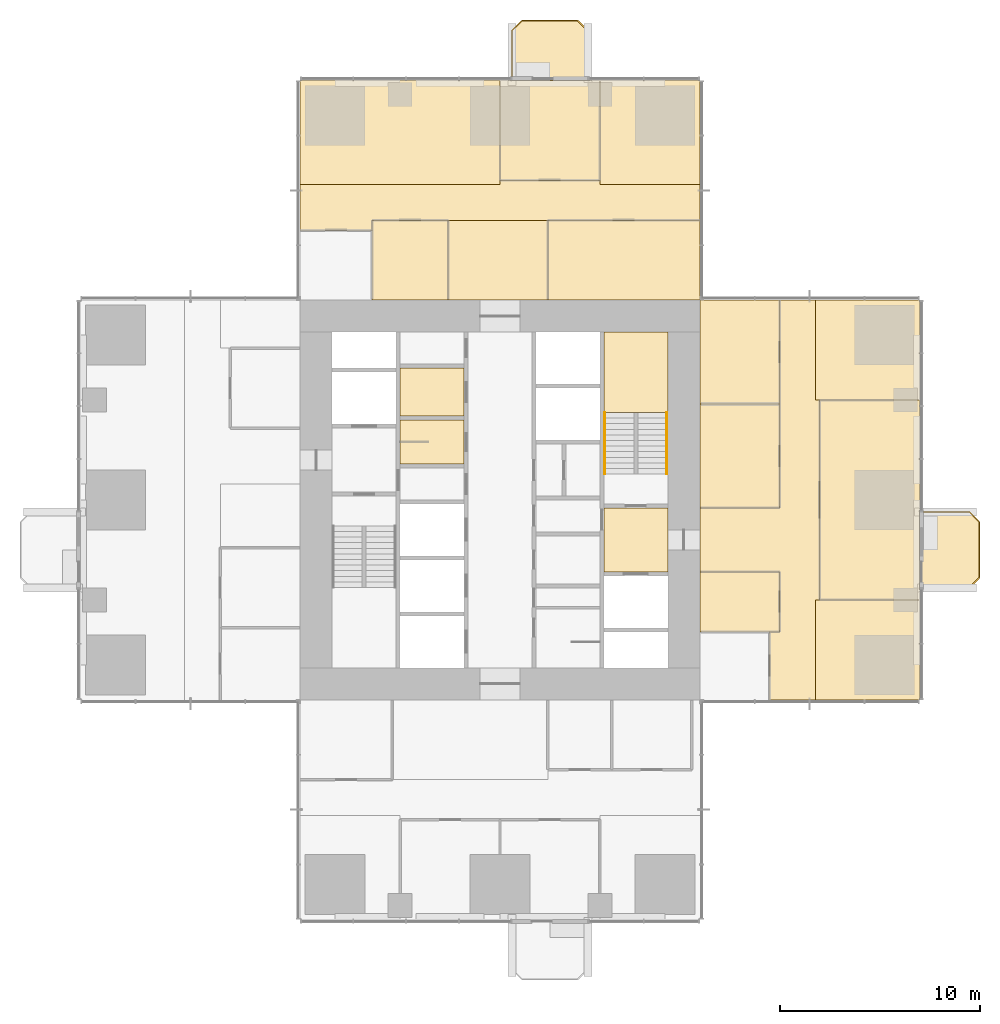
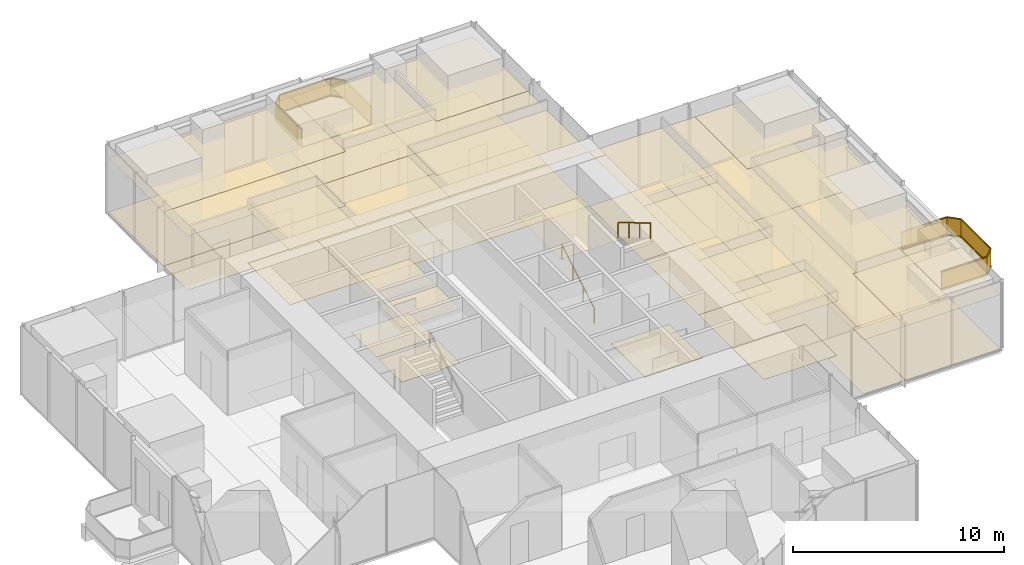
# One storey, part 12 of 13: 36 coverings, 4 railings.
"""IFC4 building model written with IfcOpenShell, lengths in metres."""

from ifc_helpers import new_model, si_unit, direction, frame, origin, origin_2d, place, context, subcontext, project, spatial, polyline, rectangle, circle, outline, extrude, material, layer, layer_set, type_object, element, save


model = new_model("IFC4")

# Units and contexts
model_context = context("Model", 3, precision=1e-05, world=origin(), true_north=direction((0.0, 1.0)))
body_context = subcontext(model_context, "Body", "Model", "MODEL_VIEW")
ifc_project = project(units=[si_unit("LENGTHUNIT", "METRE"), si_unit("AREAUNIT", "SQUARE_METRE"), si_unit("VOLUMEUNIT", "CUBIC_METRE"), si_unit("PLANEANGLEUNIT", "RADIAN"), si_unit("MASSUNIT", "GRAM", prefix="KILO")], contexts=[model_context])

# Site, building, storey
site_placement = place(None, origin())
site = spatial("IfcSite", under=ifc_project, at=site_placement, CompositionType="ELEMENT")
building_placement = place(site_placement, origin())
building = spatial("IfcBuilding", under=site, at=building_placement, Name="Svetlomir Tower", CompositionType="ELEMENT")
storey_placement = place(building_placement, frame((0.0, 0.0, 120.5)))
storey = spatial("IfcBuildingStorey", under=building, at=storey_placement, Name="L28", CompositionType="ELEMENT", Elevation=120.5)

# Railings
ifc_material_1 = material(Name="Bronze anodised aluminium and laminated glass", Category="aluminium")
railing_type_1 = type_object("IfcRailingType", Name="BALCONY GUARD GR1 1100", PredefinedType="GUARDRAIL", material=ifc_material_1)
railing_1_placement = place(storey_placement, frame((42.0, 16.60009765625, 0.0)))
element("IfcRailing", 1, at=railing_1_placement, inside=storey, type_object=railing_type_1, Name="Balcony guard E L28", PredefinedType="GUARDRAIL", context=body_context, shape_type="SweptSolid", body=[
    extrude(rectangle(XDim=0.06005859375, YDim=0.10009765625, at=origin_2d()), frame((0.0, 0.0, 0.050048828125), z_axis=(1.0, 0.0, 0.0), x_axis=(0.0, 1.0, 0.0)), (0.0, 0.0, 1.0), 2.5),
    extrude(rectangle(XDim=0.021484375, YDim=0.960205078125, at=origin_2d()), frame((0.0, 0.0, 0.580078125), z_axis=(1.0, 0.0, 0.0), x_axis=(0.0, 1.0, 0.0)), (0.0, 0.0, 1.0), 2.5),
    extrude(rectangle(XDim=0.06005859375, YDim=0.0400390625, at=origin_2d()), frame((0.0, 0.0, 1.080078125), z_axis=(1.0, 0.0, 0.0), x_axis=(0.0, 1.0, 0.0)), (0.0, 0.0, 1.0), 2.5),
    extrude(rectangle(XDim=0.06005859375, YDim=0.10009765625, at=origin_2d()), frame((2.5, 0.0, 0.050048828125), z_axis=(0.707106781187, 0.707106781187, 0.0), x_axis=(-0.707106781187, 0.707106781187, 0.0)), (0.0, 0.0, 1.0), 0.70703125),
    extrude(rectangle(XDim=0.021484375, YDim=0.960205078125, at=origin_2d()), frame((2.5, 0.0, 0.580078125), z_axis=(0.707106781187, 0.707106781187, 0.0), x_axis=(-0.707106781187, 0.707106781187, 0.0)), (0.0, 0.0, 1.0), 0.70703125),
    extrude(rectangle(XDim=0.06005859375, YDim=0.0400390625, at=origin_2d()), frame((2.5, 0.0, 1.080078125), z_axis=(0.707106781187, 0.707106781187, 0.0), x_axis=(-0.707106781187, 0.707106781187, 0.0)), (0.0, 0.0, 1.0), 0.70703125),
    extrude(rectangle(XDim=0.06005859375, YDim=0.10009765625, at=origin_2d()), frame((3.0, 0.5, 0.050048828125), z_axis=(0.0, 1.0, 0.0), x_axis=(-1.0, 0.0, 0.0)), (0.0, 0.0, 1.0), 2.7998046875),
    extrude(rectangle(XDim=0.021484375, YDim=0.960205078125, at=origin_2d()), frame((3.0, 0.5, 0.580078125), z_axis=(0.0, 1.0, 0.0), x_axis=(-1.0, 0.0, 0.0)), (0.0, 0.0, 1.0), 2.7998046875),
    extrude(rectangle(XDim=0.06005859375, YDim=0.0400390625, at=origin_2d()), frame((3.0, 0.5, 1.080078125), z_axis=(0.0, 1.0, 0.0), x_axis=(-1.0, 0.0, 0.0)), (0.0, 0.0, 1.0), 2.7998046875),
    extrude(rectangle(XDim=0.06005859375, YDim=0.10009765625, at=origin_2d()), frame((3.0, 3.2998046875, 0.050048828125), z_axis=(-0.707106781187, 0.707106781187, 0.0), x_axis=(-0.707106781187, -0.707106781187, 0.0)), (0.0, 0.0, 1.0), 0.70703125),
    extrude(rectangle(XDim=0.021484375, YDim=0.960205078125, at=origin_2d()), frame((3.0, 3.2998046875, 0.580078125), z_axis=(-0.707106781187, 0.707106781187, 0.0), x_axis=(-0.707106781187, -0.707106781187, 0.0)), (0.0, 0.0, 1.0), 0.70703125),
    extrude(rectangle(XDim=0.06005859375, YDim=0.0400390625, at=origin_2d()), frame((3.0, 3.2998046875, 1.080078125), z_axis=(-0.707106781187, 0.707106781187, 0.0), x_axis=(-0.707106781187, -0.707106781187, 0.0)), (0.0, 0.0, 1.0), 0.70703125),
    extrude(rectangle(XDim=0.06005859375, YDim=0.10009765625, at=origin_2d()), frame((2.5, 3.7998046875, 0.050048828125), z_axis=(-1.0, 0.0, 0.0), x_axis=(0.0, -1.0, 0.0)), (0.0, 0.0, 1.0), 2.5),
    extrude(rectangle(XDim=0.021484375, YDim=0.960205078125, at=origin_2d()), frame((2.5, 3.7998046875, 0.580078125), z_axis=(-1.0, 0.0, 0.0), x_axis=(0.0, -1.0, 0.0)), (0.0, 0.0, 1.0), 2.5),
    extrude(rectangle(XDim=0.06005859375, YDim=0.0400390625, at=origin_2d()), frame((2.5, 3.7998046875, 1.080078125), z_axis=(-1.0, 0.0, 0.0), x_axis=(0.0, -1.0, 0.0)), (0.0, 0.0, 1.0), 2.5),
])
railing_2_placement = place(storey_placement, frame((25.39990234375, 42.0, 0.0)))
element("IfcRailing", 2, at=railing_2_placement, inside=storey, type_object=railing_type_1, Name="Balcony guard N L28", PredefinedType="GUARDRAIL", context=body_context, shape_type="SweptSolid", body=[
    extrude(rectangle(XDim=0.06005859375, YDim=0.10009765625, at=origin_2d()), frame((0.0, 0.0, 0.050048828125), z_axis=(0.0, 1.0, 0.0), x_axis=(-1.0, 0.0, 0.0)), (0.0, 0.0, 1.0), 2.5),
    extrude(rectangle(XDim=0.021484375, YDim=0.960205078125, at=origin_2d()), frame((0.0, 0.0, 0.580078125), z_axis=(0.0, 1.0, 0.0), x_axis=(-1.0, 0.0, 0.0)), (0.0, 0.0, 1.0), 2.5),
    extrude(rectangle(XDim=0.06005859375, YDim=0.0400390625, at=origin_2d()), frame((0.0, 0.0, 1.080078125), z_axis=(0.0, 1.0, 0.0), x_axis=(-1.0, 0.0, 0.0)), (0.0, 0.0, 1.0), 2.5),
    extrude(rectangle(XDim=0.06005859375, YDim=0.10009765625, at=origin_2d()), frame((0.0, 2.5, 0.050048828125), z_axis=(-0.707106781187, 0.707106781187, 0.0), x_axis=(-0.707106781187, -0.707106781187, 0.0)), (0.0, 0.0, 1.0), 0.70703125),
    extrude(rectangle(XDim=0.021484375, YDim=0.960205078125, at=origin_2d()), frame((0.0, 2.5, 0.580078125), z_axis=(-0.707106781187, 0.707106781187, 0.0), x_axis=(-0.707106781187, -0.707106781187, 0.0)), (0.0, 0.0, 1.0), 0.70703125),
    extrude(rectangle(XDim=0.06005859375, YDim=0.0400390625, at=origin_2d()), frame((0.0, 2.5, 1.080078125), z_axis=(-0.707106781187, 0.707106781187, 0.0), x_axis=(-0.707106781187, -0.707106781187, 0.0)), (0.0, 0.0, 1.0), 0.70703125),
    extrude(rectangle(XDim=0.06005859375, YDim=0.10009765625, at=origin_2d()), frame((-0.5, 3.0, 0.050048828125), z_axis=(-1.0, 0.0, 0.0), x_axis=(0.0, -1.0, 0.0)), (0.0, 0.0, 1.0), 2.7998046875),
    extrude(rectangle(XDim=0.021484375, YDim=0.960205078125, at=origin_2d()), frame((-0.5, 3.0, 0.580078125), z_axis=(-1.0, 0.0, 0.0), x_axis=(0.0, -1.0, 0.0)), (0.0, 0.0, 1.0), 2.7998046875),
    extrude(rectangle(XDim=0.06005859375, YDim=0.0400390625, at=origin_2d()), frame((-0.5, 3.0, 1.080078125), z_axis=(-1.0, 0.0, 0.0), x_axis=(0.0, -1.0, 0.0)), (0.0, 0.0, 1.0), 2.7998046875),
    extrude(rectangle(XDim=0.06005859375, YDim=0.10009765625, at=origin_2d()), frame((-3.2998046875, 3.0, 0.050048828125), z_axis=(-0.707106781187, -0.707106781187, 0.0), x_axis=(0.707106781187, -0.707106781187, 0.0)), (0.0, 0.0, 1.0), 0.70703125),
    extrude(rectangle(XDim=0.021484375, YDim=0.960205078125, at=origin_2d()), frame((-3.2998046875, 3.0, 0.580078125), z_axis=(-0.707106781187, -0.707106781187, 0.0), x_axis=(0.707106781187, -0.707106781187, 0.0)), (0.0, 0.0, 1.0), 0.70703125),
    extrude(rectangle(XDim=0.06005859375, YDim=0.0400390625, at=origin_2d()), frame((-3.2998046875, 3.0, 1.080078125), z_axis=(-0.707106781187, -0.707106781187, 0.0), x_axis=(0.707106781187, -0.707106781187, 0.0)), (0.0, 0.0, 1.0), 0.70703125),
    extrude(rectangle(XDim=0.06005859375, YDim=0.10009765625, at=origin_2d()), frame((-3.7998046875, 2.5, 0.050048828125), z_axis=(0.0, -1.0, 0.0), x_axis=(1.0, 0.0, 0.0)), (0.0, 0.0, 1.0), 2.5),
    extrude(rectangle(XDim=0.021484375, YDim=0.960205078125, at=origin_2d()), frame((-3.7998046875, 2.5, 0.580078125), z_axis=(0.0, -1.0, 0.0), x_axis=(1.0, 0.0, 0.0)), (0.0, 0.0, 1.0), 2.5),
    extrude(rectangle(XDim=0.06005859375, YDim=0.0400390625, at=origin_2d()), frame((-3.7998046875, 2.5, 1.080078125), z_axis=(0.0, -1.0, 0.0), x_axis=(1.0, 0.0, 0.0)), (0.0, 0.0, 1.0), 2.5),
])

# Coverings
ifc_material_2 = material(Name="Granite paving slabs on pedestals", Category="masonry")
ifc_layer_1 = layer(ifc_material_2, 0.0400390625)
ifc_layer_set_1 = layer_set([ifc_layer_1], Name="Granite paving slabs on pedestals")
covering_type_1 = type_object("IfcCoveringType", Name="BALCONY PAVING 40", PredefinedType="USERDEFINED", material=ifc_layer_set_1)
covering_1_placement = place(storey_placement, origin())
element("IfcCovering", 3, at=covering_1_placement, inside=storey, type_object=covering_type_1, Name="Balcony paving E L28", ObjectType="BALCONY PAVING", PredefinedType="USERDEFINED", context=body_context, shape_type="SweptSolid", body=[
    extrude(outline(polyline([(42.0, 16.60009765625), (44.5, 16.60009765625), (45.0, 17.10009765625), (45.0, 19.89990234375), (44.5, 20.39990234375), (42.0, 20.39990234375), (42.0, 16.60009765625)])), origin(), (0.0, 0.0, 1.0), 0.0400390625),
])
covering_2_placement = place(storey_placement, origin())
element("IfcCovering", 4, at=covering_2_placement, inside=storey, type_object=covering_type_1, Name="Balcony paving N L28", ObjectType="BALCONY PAVING", PredefinedType="USERDEFINED", context=body_context, shape_type="SweptSolid", body=[
    extrude(outline(polyline([(21.60009765625, 42.0), (25.39990234375, 42.0), (25.39990234375, 44.5), (24.89990234375, 45.0), (22.10009765625, 45.0), (21.60009765625, 44.5), (21.60009765625, 42.0)])), origin(), (0.0, 0.0, 1.0), 0.0400390625),
])
ifc_material_3 = material(Name="Carpet tile", Category="textile")
ifc_layer_2 = layer(ifc_material_3, 0.010009765625)
ifc_layer_set_2 = layer_set([ifc_layer_2], Name="Carpet tile")
covering_type_2 = type_object("IfcCoveringType", Name="CARPET TILE FLOOR 10", PredefinedType="FLOORING", material=ifc_layer_set_2)
covering_3_placement = place(storey_placement, origin())
element("IfcCovering", 5, at=covering_3_placement, inside=storey, type_object=covering_type_2, Name="Floor finish L28-22", PredefinedType="FLOORING", context=body_context, shape_type="SweptSolid", body=[
    extrude(outline(polyline([(31.0, 14.39990234375), (35.0, 14.39990234375), (35.0, 17.39990234375), (31.0, 17.39990234375), (31.0, 14.39990234375)])), origin(), (0.0, 0.0, 1.0), 0.010009765625),
])
covering_4_placement = place(storey_placement, origin())
element("IfcCovering", 6, at=covering_4_placement, inside=storey, type_object=covering_type_2, Name="Floor finish L28-23", PredefinedType="FLOORING", context=body_context, shape_type="SweptSolid", body=[
    extrude(outline(polyline([(31.0, 20.60009765625), (35.0, 20.60009765625), (35.0, 25.800048828125), (31.0, 25.800048828125), (31.0, 20.60009765625)])), origin(), (0.0, 0.0, 1.0), 0.010009765625),
])
covering_5_placement = place(storey_placement, origin())
element("IfcCovering", 7, at=covering_5_placement, inside=storey, type_object=covering_type_2, Name="Floor finish L28-24", PredefinedType="FLOORING", context=body_context, shape_type="SweptSolid", body=[
    extrude(outline(polyline([(31.0, 25.800048828125), (35.0, 25.800048828125), (35.0, 31.0), (31.0, 31.0), (31.0, 25.800048828125)])), origin(), (0.0, 0.0, 1.0), 0.010009765625),
])
covering_6_placement = place(storey_placement, origin())
element("IfcCovering", 8, at=covering_6_placement, inside=storey, type_object=covering_type_2, Name="Floor finish L28-25", PredefinedType="FLOORING", context=body_context, shape_type="SweptSolid", body=[
    extrude(outline(polyline([(37.0, 16.0), (42.0, 16.0), (42.0, 26.0), (37.0, 26.0), (37.0, 16.0)])), origin(), (0.0, 0.0, 1.0), 0.010009765625),
])
covering_7_placement = place(storey_placement, origin())
element("IfcCovering", 9, at=covering_7_placement, inside=storey, type_object=covering_type_2, Name="Floor finish L28-27", PredefinedType="FLOORING", context=body_context, shape_type="SweptSolid", body=[
    extrude(outline(polyline([(14.60009765625, 31.0), (18.39990234375, 31.0), (18.39990234375, 35.0), (14.60009765625, 35.0), (14.60009765625, 31.0)])), origin(), (0.0, 0.0, 1.0), 0.010009765625),
])
covering_8_placement = place(storey_placement, origin())
element("IfcCovering", 10, at=covering_8_placement, inside=storey, type_object=covering_type_2, Name="Floor finish L28-28", PredefinedType="FLOORING", context=body_context, shape_type="SweptSolid", body=[
    extrude(outline(polyline([(23.39990234375, 31.0), (31.0, 31.0), (31.0, 35.0), (23.39990234375, 35.0), (23.39990234375, 31.0)])), origin(), (0.0, 0.0, 1.0), 0.010009765625),
])
covering_9_placement = place(storey_placement, origin())
element("IfcCovering", 11, at=covering_9_placement, inside=storey, type_object=covering_type_2, Name="Floor finish L28-29", PredefinedType="FLOORING", context=body_context, shape_type="SweptSolid", body=[
    extrude(outline(polyline([(21.0, 37.0), (26.0, 37.0), (26.0, 42.0), (21.0, 42.0), (21.0, 37.0)])), origin(), (0.0, 0.0, 1.0), 0.010009765625),
])
covering_10_placement = place(storey_placement, origin())
element("IfcCovering", 12, at=covering_10_placement, inside=storey, type_object=covering_type_2, Name="Floor finish L28-35", PredefinedType="FLOORING", context=body_context, shape_type="SweptSolid", body=[
    extrude(outline(polyline([(31.0, 35.0), (14.60009765625, 35.0), (14.60009765625, 34.5), (11.0, 34.5), (11.0, 36.800048828125), (21.0, 36.800048828125), (21.0, 37.0), (26.0, 37.0), (26.0, 36.800048828125), (31.0, 36.800048828125), (31.0, 35.0)])), origin(), (0.0, 0.0, 1.0), 0.010009765625),
])
covering_11_placement = place(storey_placement, origin())
element("IfcCovering", 13, at=covering_11_placement, inside=storey, type_object=covering_type_2, Name="Floor finish L28-36", PredefinedType="FLOORING", context=body_context, shape_type="SweptSolid", body=[
    extrude(outline(polyline([(34.5, 14.39990234375), (35.0, 14.39990234375), (35.0, 17.39990234375), (31.0, 17.39990234375), (31.0, 20.60009765625), (35.0, 20.60009765625), (35.0, 31.0), (36.800048828125, 31.0), (36.800048828125, 26.0), (37.0, 26.0), (37.0, 16.0), (36.800048828125, 16.0), (36.800048828125, 11.0), (34.5, 11.0), (34.5, 14.39990234375)])), origin(), (0.0, 0.0, 1.0), 0.010009765625),
])
covering_12_placement = place(storey_placement, origin())
element("IfcCovering", 14, at=covering_12_placement, inside=storey, type_object=covering_type_2, Name="Floor finish L28-40", PredefinedType="FLOORING", context=body_context, shape_type="SweptSolid", body=[
    extrude(outline(polyline([(36.800048828125, 16.0), (42.0, 16.0), (42.0, 11.0), (36.800048828125, 11.0), (36.800048828125, 16.0)])), origin(), (0.0, 0.0, 1.0), 0.010009765625),
])
covering_13_placement = place(storey_placement, origin())
element("IfcCovering", 15, at=covering_13_placement, inside=storey, type_object=covering_type_2, Name="Floor finish L28-41", PredefinedType="FLOORING", context=body_context, shape_type="SweptSolid", body=[
    extrude(outline(polyline([(42.0, 26.0), (36.800048828125, 26.0), (36.800048828125, 31.0), (42.0, 31.0), (42.0, 26.0)])), origin(), (0.0, 0.0, 1.0), 0.010009765625),
])
covering_14_placement = place(storey_placement, origin())
element("IfcCovering", 16, at=covering_14_placement, inside=storey, type_object=covering_type_2, Name="Floor finish L28-42", PredefinedType="FLOORING", context=body_context, shape_type="SweptSolid", body=[
    extrude(outline(polyline([(26.0, 36.800048828125), (26.0, 42.0), (31.0, 42.0), (31.0, 36.800048828125), (26.0, 36.800048828125)])), origin(), (0.0, 0.0, 1.0), 0.010009765625),
])
covering_15_placement = place(storey_placement, origin())
element("IfcCovering", 17, at=covering_15_placement, inside=storey, type_object=covering_type_2, Name="Floor finish L28-43", PredefinedType="FLOORING", context=body_context, shape_type="SweptSolid", body=[
    extrude(outline(polyline([(18.39990234375, 31.0), (18.39990234375, 35.0), (23.39990234375, 35.0), (23.39990234375, 31.0), (18.39990234375, 31.0)])), origin(), (0.0, 0.0, 1.0), 0.010009765625),
])
covering_16_placement = place(storey_placement, origin())
element("IfcCovering", 18, at=covering_16_placement, inside=storey, type_object=covering_type_2, Name="Floor finish L28-44", PredefinedType="FLOORING", context=body_context, shape_type="SweptSolid", body=[
    extrude(outline(polyline([(21.0, 42.0), (21.0, 36.800048828125), (11.0, 36.800048828125), (11.0, 42.0), (21.0, 42.0)])), origin(), (0.0, 0.0, 1.0), 0.010009765625),
])
ifc_material_4 = material(Name="Ceramic floor tile", Category="ceramic")
ifc_layer_3 = layer(ifc_material_4, 0.014892578125)
ifc_layer_set_3 = layer_set([ifc_layer_3], Name="Ceramic floor tile")
covering_type_3 = type_object("IfcCoveringType", Name="CERAMIC TILE FLOOR 15", PredefinedType="FLOORING", material=ifc_layer_set_3)
covering_17_placement = place(storey_placement, origin())
element("IfcCovering", 19, at=covering_17_placement, inside=storey, type_object=covering_type_3, Name="Floor finish L28-04", PredefinedType="FLOORING", context=body_context, shape_type="SweptSolid", body=[
    extrude(outline(polyline([(16.0, 22.800048828125), (19.199951171875, 22.800048828125), (19.199951171875, 25.0), (16.0, 25.0), (16.0, 22.800048828125)])), origin(), (0.0, 0.0, 1.0), 0.014892578125),
])
covering_18_placement = place(storey_placement, origin())
element("IfcCovering", 20, at=covering_18_placement, inside=storey, type_object=covering_type_3, Name="Floor finish L28-05", PredefinedType="FLOORING", context=body_context, shape_type="SweptSolid", body=[
    extrude(outline(polyline([(16.0, 25.199951171875), (19.199951171875, 25.199951171875), (19.199951171875, 27.60009765625), (16.0, 27.60009765625), (16.0, 25.199951171875)])), origin(), (0.0, 0.0, 1.0), 0.014892578125),
])

# Railings
ifc_material_5 = material(Name="Stainless steel", Category="steel")
railing_type_2 = type_object("IfcRailingType", Name="HANDRAIL HR1 900", PredefinedType="HANDRAIL", material=ifc_material_5)
railing_3_placement = place(storey_placement, frame((26.25, 22.300048828125, 0.166748046875)))
element("IfcRailing", 21, at=railing_3_placement, inside=storey, type_object=railing_type_2, Name="Handrail S2 flight 1 L28", PredefinedType="HANDRAIL", context=body_context, shape_type="SweptSolid", body=[
    extrude(circle(Radius=0.02392578125, at=origin_2d()), frame((0.0, 0.0, 0.8759765625), z_axis=(0.0, 0.859290745958, 0.51148745235), x_axis=(-1.0, 0.0, 0.0)), (0.0, 0.0, 1.0), 3.584228515625),
    extrude(circle(Radius=0.02099609375, at=origin_2d()), origin(), (0.0, 0.0, 1.0), 0.851806640625),
    extrude(circle(Radius=0.02099609375, at=origin_2d()), frame((0.0, 1.026611328125, 0.611083984375)), (0.0, 0.0, 1.0), 0.851806640625),
    extrude(circle(Radius=0.02099609375, at=origin_2d()), frame((0.0, 2.05322265625, 1.22216796875)), (0.0, 0.0, 1.0), 0.851806640625),
    extrude(circle(Radius=0.02099609375, at=origin_2d()), frame((0.0, 3.079833984375, 1.833251953125)), (0.0, 0.0, 1.0), 0.851806640625),
])
railing_4_placement = place(storey_placement, frame((29.35009765625, 25.3798828125, 2.166748046875)))
element("IfcRailing", 22, at=railing_4_placement, inside=storey, type_object=railing_type_2, Name="Handrail S2 flight 2 L28", PredefinedType="HANDRAIL", context=body_context, shape_type="SweptSolid", body=[
    extrude(circle(Radius=0.02392578125, at=origin_2d()), frame((0.0, 0.0, 0.8759765625), z_axis=(0.0, -0.859290745958, 0.51148745235), x_axis=(1.0, 0.0, 0.0)), (0.0, 0.0, 1.0), 3.584228515625),
    extrude(circle(Radius=0.02099609375, at=origin_2d()), origin(), (0.0, 0.0, 1.0), 0.851806640625),
    extrude(circle(Radius=0.02099609375, at=origin_2d()), frame((0.0, -1.026611328125, 0.611083984375)), (0.0, 0.0, 1.0), 0.851806640625),
    extrude(circle(Radius=0.02099609375, at=origin_2d()), frame((0.0, -2.05322265625, 1.22216796875)), (0.0, 0.0, 1.0), 0.851806640625),
    extrude(circle(Radius=0.02099609375, at=origin_2d()), frame((0.0, -3.079833984375, 1.833251953125)), (0.0, 0.0, 1.0), 0.851806640625),
])

# Coverings
ifc_material_6 = material(Name="Moisture resistant plasterboard ceiling", Category="gypsum")
ifc_layer_4 = layer(ifc_material_6, 0.012451171875)
ifc_layer_set_4 = layer_set([ifc_layer_4], Name="Moisture resistant plasterboard ceiling")
covering_type_4 = type_object("IfcCoveringType", Name="MOISTURE RESISTANT CEILING 12.5", PredefinedType="CEILING", material=ifc_layer_set_4)
covering_19_placement = place(storey_placement, frame((0.0, 0.0, 3.137451171875)))
element("IfcCovering", 23, at=covering_19_placement, inside=storey, type_object=covering_type_4, Name="Ceiling L28-04", PredefinedType="CEILING", context=body_context, shape_type="SweptSolid", body=[
    extrude(outline(polyline([(16.0, 22.800048828125), (19.199951171875, 22.800048828125), (19.199951171875, 25.0), (16.0, 25.0), (16.0, 22.800048828125)])), origin(), (0.0, 0.0, 1.0), 0.012451171875),
])
covering_20_placement = place(storey_placement, frame((0.0, 0.0, 3.137451171875)))
element("IfcCovering", 24, at=covering_20_placement, inside=storey, type_object=covering_type_4, Name="Ceiling L28-05", PredefinedType="CEILING", context=body_context, shape_type="SweptSolid", body=[
    extrude(outline(polyline([(16.0, 25.199951171875), (19.199951171875, 25.199951171875), (19.199951171875, 27.60009765625), (16.0, 27.60009765625), (16.0, 25.199951171875)])), origin(), (0.0, 0.0, 1.0), 0.012451171875),
])
ifc_material_7 = material(Name="Studded rubber floor finish", Category="rubber")
ifc_layer_5 = layer(ifc_material_7, 0.006103515625)
ifc_layer_set_5 = layer_set([ifc_layer_5], Name="Studded rubber floor finish")
covering_type_5 = type_object("IfcCoveringType", Name="RUBBER LANDING FINISH 6", PredefinedType="FLOORING", material=ifc_layer_set_5)
covering_21_placement = place(storey_placement, frame((0.0, 0.0, 2.0)))
element("IfcCovering", 25, at=covering_21_placement, inside=storey, type_object=covering_type_5, Name="Stair S2 landing finish L28", PredefinedType="FLOORING", context=body_context, shape_type="SweptSolid", body=[
    extrude(outline(polyline([(26.199951171875, 25.3798828125), (29.39990234375, 25.3798828125), (29.39990234375, 29.39990234375), (26.199951171875, 29.39990234375), (26.199951171875, 25.3798828125)])), origin(), (0.0, 0.0, 1.0), 0.006103515625),
])
ifc_material_8 = material(Name="Mineral fibre ceiling tile", Category="mineral")
ifc_layer_6 = layer(ifc_material_8, 0.02001953125)
ifc_layer_set_6 = layer_set([ifc_layer_6], Name="Mineral fibre ceiling tile")
covering_type_6 = type_object("IfcCoveringType", Name="SUSPENDED CEILING 20", PredefinedType="CEILING", material=ifc_layer_set_6)
covering_22_placement = place(storey_placement, frame((0.0, 0.0, 3.1298828125)))
element("IfcCovering", 26, at=covering_22_placement, inside=storey, type_object=covering_type_6, Name="Ceiling L28-22", PredefinedType="CEILING", context=body_context, shape_type="SweptSolid", body=[
    extrude(outline(polyline([(31.0, 14.39990234375), (35.0, 14.39990234375), (35.0, 17.39990234375), (31.0, 17.39990234375), (31.0, 14.39990234375)])), origin(), (0.0, 0.0, 1.0), 0.02001953125),
])
covering_23_placement = place(storey_placement, frame((0.0, 0.0, 3.1298828125)))
element("IfcCovering", 27, at=covering_23_placement, inside=storey, type_object=covering_type_6, Name="Ceiling L28-23", PredefinedType="CEILING", context=body_context, shape_type="SweptSolid", body=[
    extrude(outline(polyline([(31.0, 20.60009765625), (35.0, 20.60009765625), (35.0, 25.800048828125), (31.0, 25.800048828125), (31.0, 20.60009765625)])), origin(), (0.0, 0.0, 1.0), 0.02001953125),
])
covering_24_placement = place(storey_placement, frame((0.0, 0.0, 3.1298828125)))
element("IfcCovering", 28, at=covering_24_placement, inside=storey, type_object=covering_type_6, Name="Ceiling L28-24", PredefinedType="CEILING", context=body_context, shape_type="SweptSolid", body=[
    extrude(outline(polyline([(31.0, 25.800048828125), (35.0, 25.800048828125), (35.0, 31.0), (31.0, 31.0), (31.0, 25.800048828125)])), origin(), (0.0, 0.0, 1.0), 0.02001953125),
])
covering_25_placement = place(storey_placement, frame((0.0, 0.0, 3.1298828125)))
element("IfcCovering", 29, at=covering_25_placement, inside=storey, type_object=covering_type_6, Name="Ceiling L28-25", PredefinedType="CEILING", context=body_context, shape_type="SweptSolid", body=[
    extrude(outline(polyline([(37.0, 16.0), (42.0, 16.0), (42.0, 26.0), (37.0, 26.0), (37.0, 16.0)])), origin(), (0.0, 0.0, 1.0), 0.02001953125),
])
covering_26_placement = place(storey_placement, frame((0.0, 0.0, 3.1298828125)))
element("IfcCovering", 30, at=covering_26_placement, inside=storey, type_object=covering_type_6, Name="Ceiling L28-27", PredefinedType="CEILING", context=body_context, shape_type="SweptSolid", body=[
    extrude(outline(polyline([(14.60009765625, 31.0), (18.39990234375, 31.0), (18.39990234375, 35.0), (14.60009765625, 35.0), (14.60009765625, 31.0)])), origin(), (0.0, 0.0, 1.0), 0.02001953125),
])
covering_27_placement = place(storey_placement, frame((0.0, 0.0, 3.1298828125)))
element("IfcCovering", 31, at=covering_27_placement, inside=storey, type_object=covering_type_6, Name="Ceiling L28-28", PredefinedType="CEILING", context=body_context, shape_type="SweptSolid", body=[
    extrude(outline(polyline([(23.39990234375, 31.0), (31.0, 31.0), (31.0, 35.0), (23.39990234375, 35.0), (23.39990234375, 31.0)])), origin(), (0.0, 0.0, 1.0), 0.02001953125),
])
covering_28_placement = place(storey_placement, frame((0.0, 0.0, 3.1298828125)))
element("IfcCovering", 32, at=covering_28_placement, inside=storey, type_object=covering_type_6, Name="Ceiling L28-29", PredefinedType="CEILING", context=body_context, shape_type="SweptSolid", body=[
    extrude(outline(polyline([(21.0, 37.0), (26.0, 37.0), (26.0, 42.0), (21.0, 42.0), (21.0, 37.0)])), origin(), (0.0, 0.0, 1.0), 0.02001953125),
])
covering_29_placement = place(storey_placement, frame((0.0, 0.0, 3.1298828125)))
element("IfcCovering", 33, at=covering_29_placement, inside=storey, type_object=covering_type_6, Name="Ceiling L28-35", PredefinedType="CEILING", context=body_context, shape_type="SweptSolid", body=[
    extrude(outline(polyline([(31.0, 35.0), (14.60009765625, 35.0), (14.60009765625, 34.5), (11.0, 34.5), (11.0, 36.800048828125), (21.0, 36.800048828125), (21.0, 37.0), (26.0, 37.0), (26.0, 36.800048828125), (31.0, 36.800048828125), (31.0, 35.0)])), origin(), (0.0, 0.0, 1.0), 0.02001953125),
])
covering_30_placement = place(storey_placement, frame((0.0, 0.0, 3.1298828125)))
element("IfcCovering", 34, at=covering_30_placement, inside=storey, type_object=covering_type_6, Name="Ceiling L28-36", PredefinedType="CEILING", context=body_context, shape_type="SweptSolid", body=[
    extrude(outline(polyline([(34.5, 14.39990234375), (35.0, 14.39990234375), (35.0, 17.39990234375), (31.0, 17.39990234375), (31.0, 20.60009765625), (35.0, 20.60009765625), (35.0, 31.0), (36.800048828125, 31.0), (36.800048828125, 26.0), (37.0, 26.0), (37.0, 16.0), (36.800048828125, 16.0), (36.800048828125, 11.0), (34.5, 11.0), (34.5, 14.39990234375)])), origin(), (0.0, 0.0, 1.0), 0.02001953125),
])
covering_31_placement = place(storey_placement, frame((0.0, 0.0, 3.1298828125)))
element("IfcCovering", 35, at=covering_31_placement, inside=storey, type_object=covering_type_6, Name="Ceiling L28-40", PredefinedType="CEILING", context=body_context, shape_type="SweptSolid", body=[
    extrude(outline(polyline([(36.800048828125, 16.0), (42.0, 16.0), (42.0, 11.0), (36.800048828125, 11.0), (36.800048828125, 16.0)])), origin(), (0.0, 0.0, 1.0), 0.02001953125),
])
covering_32_placement = place(storey_placement, frame((0.0, 0.0, 3.1298828125)))
element("IfcCovering", 36, at=covering_32_placement, inside=storey, type_object=covering_type_6, Name="Ceiling L28-41", PredefinedType="CEILING", context=body_context, shape_type="SweptSolid", body=[
    extrude(outline(polyline([(42.0, 26.0), (36.800048828125, 26.0), (36.800048828125, 31.0), (42.0, 31.0), (42.0, 26.0)])), origin(), (0.0, 0.0, 1.0), 0.02001953125),
])
covering_33_placement = place(storey_placement, frame((0.0, 0.0, 3.1298828125)))
element("IfcCovering", 37, at=covering_33_placement, inside=storey, type_object=covering_type_6, Name="Ceiling L28-42", PredefinedType="CEILING", context=body_context, shape_type="SweptSolid", body=[
    extrude(outline(polyline([(26.0, 36.800048828125), (26.0, 42.0), (31.0, 42.0), (31.0, 36.800048828125), (26.0, 36.800048828125)])), origin(), (0.0, 0.0, 1.0), 0.02001953125),
])
covering_34_placement = place(storey_placement, frame((0.0, 0.0, 3.1298828125)))
element("IfcCovering", 38, at=covering_34_placement, inside=storey, type_object=covering_type_6, Name="Ceiling L28-43", PredefinedType="CEILING", context=body_context, shape_type="SweptSolid", body=[
    extrude(outline(polyline([(18.39990234375, 31.0), (18.39990234375, 35.0), (23.39990234375, 35.0), (23.39990234375, 31.0), (18.39990234375, 31.0)])), origin(), (0.0, 0.0, 1.0), 0.02001953125),
])
covering_35_placement = place(storey_placement, frame((0.0, 0.0, 3.1298828125)))
element("IfcCovering", 39, at=covering_35_placement, inside=storey, type_object=covering_type_6, Name="Ceiling L28-44", PredefinedType="CEILING", context=body_context, shape_type="SweptSolid", body=[
    extrude(outline(polyline([(21.0, 42.0), (21.0, 36.800048828125), (11.0, 36.800048828125), (11.0, 42.0), (21.0, 42.0)])), origin(), (0.0, 0.0, 1.0), 0.02001953125),
])
ifc_material_9 = material(Name="Bronze-aggregate terrazzo", Category="stone")
ifc_layer_7 = layer(ifc_material_9, 0.030029296875)
ifc_layer_set_7 = layer_set([ifc_layer_7], Name="Bronze-aggregate terrazzo")
covering_type_7 = type_object("IfcCoveringType", Name="TERRAZZO FLOOR 30", PredefinedType="FLOORING", material=ifc_layer_set_7)
covering_36_placement = place(storey_placement, origin())
element("IfcCovering", 40, at=covering_36_placement, inside=storey, type_object=covering_type_7, Name="Floor finish L28-12", PredefinedType="FLOORING", context=body_context, shape_type="SweptSolid", body=[
    extrude(outline(polyline([(26.199951171875, 17.39990234375), (29.39990234375, 17.39990234375), (29.39990234375, 20.60009765625), (26.199951171875, 20.60009765625), (26.199951171875, 17.39990234375)])), origin(), (0.0, 0.0, 1.0), 0.030029296875),
])

save(model, "model.ifc")
